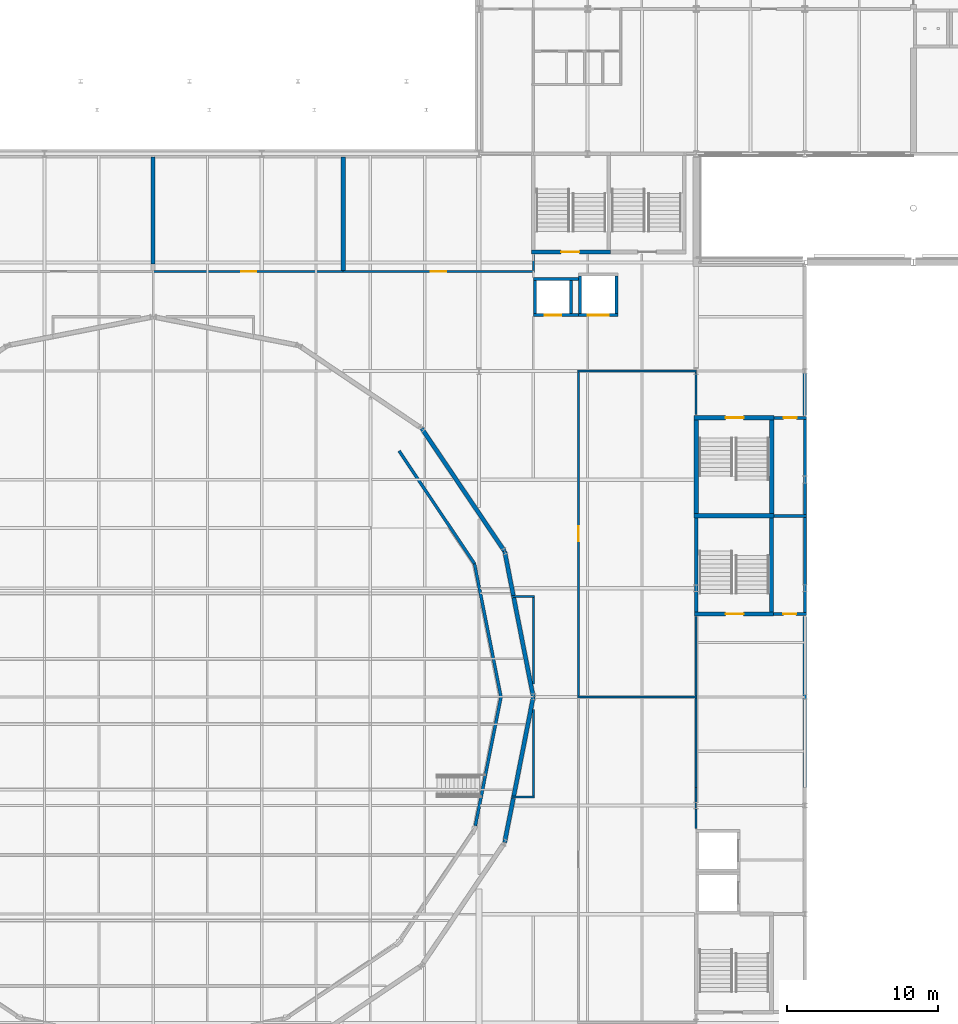
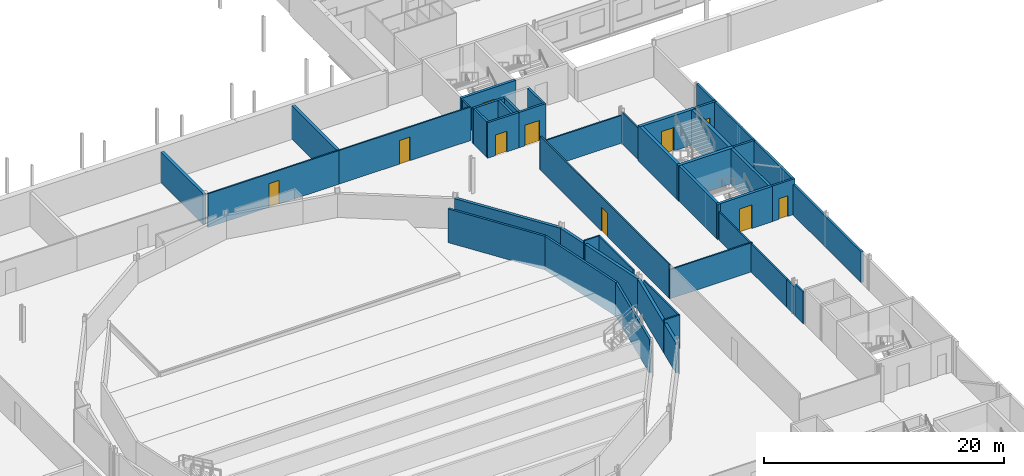
# One storey, part 52 of 90: 47 walls, 10 doors, 10 openings.
"""IFC4 building model written with IfcOpenShell, lengths in metres."""

from ifc_helpers import new_model, si_unit, direction, frame, frame_2d, origin, place, context, subcontext, project, spatial, rectangle, extrude, material, layer, layer_set, type_object, element, fill, save


model = new_model("IFC4")

# Units and contexts
model_context = context("Model", 3, precision=1e-05, world=origin(), true_north=direction((0.0, 1.0)))
body_context = subcontext(model_context, "Body", "Model", "MODEL_VIEW")
ifc_project = project(units=[si_unit("LENGTHUNIT", "METRE"), si_unit("AREAUNIT", "SQUARE_METRE"), si_unit("VOLUMEUNIT", "CUBIC_METRE"), si_unit("PLANEANGLEUNIT", "RADIAN"), si_unit("MASSUNIT", "GRAM", prefix="KILO")], contexts=[model_context])

# Site, building, storey
site_placement = place(None, origin())
site = spatial("IfcSite", under=ifc_project, at=site_placement, CompositionType="ELEMENT")
building_placement = place(site_placement, origin())
building = spatial("IfcBuilding", under=site, at=building_placement, Name="Kupolbacken Congress Centre", CompositionType="ELEMENT")
storey_placement = place(building_placement, frame((0.0, 0.0, 3.60009765625)))
storey = spatial("IfcBuildingStorey", under=building, at=storey_placement, Name="L01", CompositionType="ELEMENT", Elevation=3.60009765625)

# Walls
ifc_material_1 = material(Name="Gypsum board", Category="drywall")
ifc_layer_1 = layer(ifc_material_1, 0.135009765625)
ifc_layer_set_1 = layer_set([ifc_layer_1], Name="Gypsum board")
wall_type_1 = type_object("IfcWallType", Name="P06 compartment wall 135", PredefinedType="PARTITIONING", material=ifc_layer_set_1)
wall_1_placement = place(storey_placement, frame((68.39990234375, 114.66748046875, 0.0), z_axis=(0.0, 0.0, 1.0), x_axis=(0.0, 1.0, 0.0)))
element("IfcWall", 1, at=wall_1_placement, inside=storey, type_object=wall_type_1, Name="PD/L01/W007", PredefinedType="PARTITIONING", context=body_context, shape_type="SweptSolid", body=[
    extrude(rectangle(XDim=1.047607421875, YDim=0.135009765625, at=frame_2d((0.52392578125, 0.0))), origin(), (0.0, 0.0, 1.0), 3.419921875),
])
wall_2_placement = place(storey_placement, frame((79.199951171875, 77.659912109375, 0.0), z_axis=(0.0, 0.0, 1.0), x_axis=(0.0, 1.0, 0.0)))
element("IfcWall", 2, at=wall_2_placement, inside=storey, type_object=wall_type_1, Name="PD/L01/W011", PredefinedType="PARTITIONING", context=body_context, shape_type="SweptSolid", body=[
    extrude(rectangle(XDim=1.315185546875, YDim=0.135009765625, at=frame_2d((0.65771484375, 0.0))), origin(), (0.0, 0.0, 1.0), 3.219970703125),
])
wall_3_placement = place(storey_placement, frame((79.199951171875, 86.33251953125, 0.0), z_axis=(0.0, 0.0, 1.0), x_axis=(0.0, -1.0, 0.0)))
element("IfcWall", 3, at=wall_3_placement, inside=storey, type_object=wall_type_1, Name="PD/L01/W013", PredefinedType="PARTITIONING", context=body_context, shape_type="SweptSolid", body=[
    extrude(rectangle(XDim=5.9326171875, YDim=0.135009765625, at=frame_2d((2.96630859375, 0.0))), origin(), (0.0, 0.0, 1.0), 2.869873046875),
])
wall_4_placement = place(storey_placement, frame((79.199951171875, 91.715087890625, 0.0), z_axis=(0.0, 0.0, 1.0), x_axis=(0.0, -1.0, 0.0)))
element("IfcWall", 4, at=wall_4_placement, inside=storey, type_object=wall_type_1, Name="PD/L01/W014", PredefinedType="PARTITIONING", context=body_context, shape_type="SweptSolid", body=[
    extrude(rectangle(XDim=5.24755859375, YDim=0.135009765625, at=frame_2d((2.623779296875, 0.0))), origin(), (0.0, 0.0, 1.0), 2.869873046875),
])
wall_5_placement = place(storey_placement, frame((79.199951171875, 107.9326171875, 0.0), z_axis=(0.0, 0.0, 1.0), x_axis=(0.0, -1.0, 0.0)))
element("IfcWall", 5, at=wall_5_placement, inside=storey, type_object=wall_type_1, Name="PD/L01/W016", PredefinedType="PARTITIONING", context=body_context, shape_type="SweptSolid", body=[
    extrude(rectangle(XDim=2.822509765625, YDim=0.135009765625, at=frame_2d((1.4111328125, 0.0))), origin(), (0.0, 0.0, 1.0), 3.219970703125),
])

# Wall, opening, door
wall_6_placement = place(storey_placement, frame((55.800048828125, 114.60009765625, 0.0), z_axis=(0.0, 0.0, 1.0), x_axis=(-1.0, 0.0, 0.0)))
wall_6 = element("IfcWall", 6, at=wall_6_placement, inside=storey, type_object=wall_type_1, Name="PD/L01/W060", PredefinedType="PARTITIONING", context=body_context, shape_type="SweptSolid", body=[
    extrude(rectangle(XDim=12.60009765625, YDim=0.135009765625, at=frame_2d((6.300048828125, 0.0))), origin(), (0.0, 0.0, 1.0), 3.419921875),
])
opening_1_placement = place(wall_6_placement, frame((5.75, 0.0, 0.0)))
opening_1 = element("IfcOpeningElement", 7, at=opening_1_placement, cuts=wall_6, Name="Opening 1.P11", PredefinedType="OPENING", context=body_context, shape_type="SweptSolid", body=[
    extrude(rectangle(XDim=1.0, YDim=2.39990234375, at=frame_2d((0.5, 1.199951171875))), frame((0.0, 0.077392578125, 0.0), z_axis=(0.0, -1.0, 0.0), x_axis=(1.0, 0.0, 0.0)), (0.0, 0.0, 1.0), 0.155029296875),
])
ifc_material_2 = material(Name="Steel fire door leaf", Category="steel")
door_type_1 = type_object("IfcDoorType", Name="D8 fire door 1000x2400", OperationType="SINGLE_SWING_LEFT", PredefinedType="DOOR", material=ifc_material_2)
door_1_placement = place(opening_1_placement, frame((1.0, 0.0, 0.0), z_axis=(0.0, 0.0, 1.0), x_axis=(-1.0, 0.0, 0.0)))
door_1 = element("IfcDoor", 8, at=door_1_placement, inside=storey, type_object=door_type_1, Name="PD/L01/W060/D1P11", OperationType="SINGLE_SWING_LEFT", OverallHeight=2.39990234375, OverallWidth=1.0, PredefinedType="DOOR", context=body_context, shape_type="SweptSolid", body=[
    extrude(rectangle(XDim=1.0, YDim=2.39990234375, at=frame_2d((0.5, 1.199951171875))), frame((0.0, 0.02490234375, 0.0), z_axis=(0.0, -1.0, 0.0), x_axis=(1.0, 0.0, 0.0)), (0.0, 0.0, 1.0), 0.050048828125),
])
fill(opening_1, door_1)

wall_7_placement = place(storey_placement, frame((68.467529296875, 114.60009765625, 0.0), z_axis=(0.0, 0.0, 1.0), x_axis=(-1.0, 0.0, 0.0)))
wall_7 = element("IfcWall", 9, at=wall_7_placement, inside=storey, type_object=wall_type_1, Name="PD/L01/W061", PredefinedType="PARTITIONING", context=body_context, shape_type="SweptSolid", body=[
    extrude(rectangle(XDim=12.66748046875, YDim=0.135009765625, at=frame_2d((6.333740234375, 0.0))), origin(), (0.0, 0.0, 1.0), 3.419921875),
])
opening_2_placement = place(wall_7_placement, frame((5.85009765625, 0.0, 0.0)))
opening_2 = element("IfcOpeningElement", 10, at=opening_2_placement, cuts=wall_7, Name="Opening 1.P12", PredefinedType="OPENING", context=body_context, shape_type="SweptSolid", body=[
    extrude(rectangle(XDim=1.0, YDim=2.39990234375, at=frame_2d((0.5, 1.199951171875))), frame((0.0, 0.077392578125, 0.0), z_axis=(0.0, -1.0, 0.0), x_axis=(1.0, 0.0, 0.0)), (0.0, 0.0, 1.0), 0.155029296875),
])
door_2_placement = place(opening_2_placement, frame((1.0, 0.0, 0.0), z_axis=(0.0, 0.0, 1.0), x_axis=(-1.0, 0.0, 0.0)))
door_2 = element("IfcDoor", 11, at=door_2_placement, inside=storey, type_object=door_type_1, Name="PD/L01/W061/D1P12", OperationType="SINGLE_SWING_LEFT", OverallHeight=2.39990234375, OverallWidth=1.0, PredefinedType="DOOR", context=body_context, shape_type="SweptSolid", body=[
    extrude(rectangle(XDim=1.0, YDim=2.39990234375, at=frame_2d((0.5, 1.199951171875))), frame((0.0, 0.02490234375, 0.0), z_axis=(0.0, -1.0, 0.0), x_axis=(1.0, 0.0, 0.0)), (0.0, 0.0, 1.0), 0.050048828125),
])
fill(opening_2, door_2)

# Walls
wall_8_placement = place(storey_placement, frame((71.33251953125, 86.39990234375, 0.0), z_axis=(0.0, 0.0, 1.0), x_axis=(1.0, 0.0, 0.0)))
element("IfcWall", 12, at=wall_8_placement, inside=storey, type_object=wall_type_1, Name="PD/L01/W067", PredefinedType="PARTITIONING", context=body_context, shape_type="SweptSolid", body=[
    extrude(rectangle(XDim=7.93505859375, YDim=0.135009765625, at=frame_2d((3.967529296875, 0.0))), origin(), (0.0, 0.0, 1.0), 2.969970703125),
])
wall_9_placement = place(storey_placement, frame((71.33251953125, 108.0, 0.0), z_axis=(0.0, 0.0, 1.0), x_axis=(1.0, 0.0, 0.0)))
element("IfcWall", 13, at=wall_9_placement, inside=storey, type_object=wall_type_1, Name="PD/L01/W070", PredefinedType="PARTITIONING", context=body_context, shape_type="SweptSolid", body=[
    extrude(rectangle(XDim=7.93505859375, YDim=0.135009765625, at=frame_2d((3.967529296875, 0.0))), origin(), (0.0, 0.0, 1.0), 2.81982421875),
])

# Wall, opening, door
wall_10_placement = place(storey_placement, frame((71.39990234375, 86.467529296875, 0.0), z_axis=(0.0, 0.0, 1.0), x_axis=(0.0, 1.0, 0.0)))
wall_10 = element("IfcWall", 14, at=wall_10_placement, inside=storey, type_object=wall_type_1, Name="PD/L01/W071", PredefinedType="PARTITIONING", context=body_context, shape_type="SweptSolid", body=[
    extrude(rectangle(XDim=21.465087890625, YDim=0.135009765625, at=frame_2d((10.732421875, 0.0))), origin(), (0.0, 0.0, 1.0), 3.419921875),
])
opening_3_placement = place(wall_10_placement, frame((10.25, 0.0, 0.0)))
opening_3 = element("IfcOpeningElement", 15, at=opening_3_placement, cuts=wall_10, Name="Opening 1.P16", PredefinedType="OPENING", context=body_context, shape_type="SweptSolid", body=[
    extrude(rectangle(XDim=1.0, YDim=2.39990234375, at=frame_2d((0.5, 1.199951171875))), frame((0.0, 0.077392578125, 0.0), z_axis=(0.0, -1.0, 0.0), x_axis=(1.0, 0.0, 0.0)), (0.0, 0.0, 1.0), 0.155029296875),
])
door_3_placement = place(opening_3_placement, frame((1.0, 0.0, 0.0), z_axis=(0.0, 0.0, 1.0), x_axis=(-1.0, 0.0, 0.0)))
door_3 = element("IfcDoor", 16, at=door_3_placement, inside=storey, type_object=door_type_1, Name="PD/L01/W071/D1P16", OperationType="SINGLE_SWING_RIGHT", OverallHeight=2.39990234375, OverallWidth=1.0, PredefinedType="DOOR", context=body_context, shape_type="SweptSolid", body=[
    extrude(rectangle(XDim=1.0, YDim=2.39990234375, at=frame_2d((0.5, 1.199951171875))), frame((0.0, 0.02490234375, 0.0), z_axis=(0.0, -1.0, 0.0), x_axis=(1.0, 0.0, 0.0)), (0.0, 0.0, 1.0), 0.050048828125),
])
fill(opening_3, door_3)

# Walls
wall_11_placement = place(storey_placement, frame((68.39990234375, 79.8173828125, 0.0), z_axis=(0.0, 0.0, 1.0), x_axis=(0.0, 1.0, 0.0)))
element("IfcWall", 17, at=wall_11_placement, inside=storey, type_object=wall_type_1, Name="PD/L01/W086", PredefinedType="PARTITIONING", context=body_context, shape_type="SweptSolid", body=[
    extrude(rectangle(XDim=5.732666015625, YDim=0.135009765625, at=frame_2d((2.8662109375, 0.0))), origin(), (0.0, 0.0, 1.0), 3.419921875),
])
wall_12_placement = place(storey_placement, frame((68.39990234375, 87.25, 0.0), z_axis=(0.0, 0.0, 1.0), x_axis=(0.0, 1.0, 0.0)))
element("IfcWall", 18, at=wall_12_placement, inside=storey, type_object=wall_type_1, Name="PD/L01/W087", PredefinedType="PARTITIONING", context=body_context, shape_type="SweptSolid", body=[
    extrude(rectangle(XDim=5.732421875, YDim=0.135009765625, at=frame_2d((2.8662109375, 0.0))), origin(), (0.0, 0.0, 1.0), 3.419921875),
])
for number, where, z_axis, x_axis, name in (
    (19, (66.953125, 79.75, 0.0), (0.0, 0.0, 1.0), (1.0, 0.0, 0.0), "PD/L01/W099"),
    (20, (68.467529296875, 93.050048828125, 0.0), (0.0, 0.0, 1.0), (-1.0, 0.0, 0.0), "PD/L01/W114"),
):
    element("IfcWall", number, at=place(storey_placement, frame(where, z_axis=z_axis, x_axis=x_axis)), inside=storey, type_object=wall_type_1, Name=name, PredefinedType="PARTITIONING", context=body_context, shape_type="SweptSolid", body=[
        extrude(rectangle(XDim=1.514404296875, YDim=0.135009765625, at=frame_2d((0.75732421875, 0.0))), origin(), (0.0, 0.0, 1.0), 3.419921875),
    ])
wall_13_placement = place(storey_placement, frame((79.199951171875, 78.97509765625, 0.0), z_axis=(0.0, 0.0, 1.0), x_axis=(0.0, 1.0, 0.0)))
element("IfcWall", 21, at=wall_13_placement, inside=storey, type_object=wall_type_1, Name="PD/L01/W011.h1", PredefinedType="PARTITIONING", context=body_context, shape_type="SweptSolid", body=[
    extrude(rectangle(XDim=1.4248046875, YDim=0.135009765625, at=frame_2d((0.71240234375, 0.0))), origin(), (0.0, 0.0, 1.0), 2.869873046875),
])
ifc_material_3 = material(Name="Gypsum board", Category="drywall")
ifc_layer_2 = layer(ifc_material_3, 0.27490234375)
ifc_layer_set_2 = layer_set([ifc_layer_2], Name="Gypsum board")
wall_type_2 = type_object("IfcWallType", Name="P12 partition 275", PredefinedType="PARTITIONING", material=ifc_layer_set_2)
wall_14_placement = place(storey_placement, frame((43.199951171875, 122.179931640625, 0.0), z_axis=(0.0, 0.0, 1.0), x_axis=(0.0, -1.0, 0.0)))
element("IfcWall", 22, at=wall_14_placement, inside=storey, type_object=wall_type_2, Name="PD/L01/W057", PredefinedType="PARTITIONING", context=body_context, shape_type="SweptSolid", body=[
    extrude(rectangle(XDim=7.08984375, YDim=0.27490234375, at=frame_2d((3.544921875, 0.0))), origin(), (0.0, 0.0, 1.0), 3.119873046875),
])
wall_15_placement = place(storey_placement, frame((55.800048828125, 122.179931640625, 0.0), z_axis=(0.0, 0.0, 1.0), x_axis=(0.0, -1.0, 0.0)))
element("IfcWall", 23, at=wall_15_placement, inside=storey, type_object=wall_type_2, Name="PD/L01/W059", PredefinedType="PARTITIONING", context=body_context, shape_type="SweptSolid", body=[
    extrude(rectangle(XDim=7.512451171875, YDim=0.27490234375, at=frame_2d((3.75634765625, 0.0))), origin(), (0.0, 0.0, 1.0), 3.419921875),
])
wall_16_placement = place(storey_placement, frame((66.5, 76.75, 0.0), z_axis=(0.0, 0.0, 1.0), x_axis=(0.193179069745, 0.98116351696, 0.0)))
element("IfcWall", 24, at=wall_16_placement, inside=storey, type_object=wall_type_2, Name="PD/L01/W100", PredefinedType="PARTITIONING", context=body_context, shape_type="SweptSolid", body=[
    extrude(rectangle(XDim=2.990234375, YDim=0.27490234375, at=frame_2d((1.4951171875, 0.0))), origin(), (0.0, 0.0, 1.0), 3.06982421875),
])
wall_17_placement = place(storey_placement, frame((67.103759765625, 79.816162109375, 0.0), z_axis=(0.0, 0.0, 1.0), x_axis=(0.193162546167, 0.981166770105, 0.0)))
element("IfcWall", 25, at=wall_17_placement, inside=storey, type_object=wall_type_2, Name="PD/L01/W105", PredefinedType="PARTITIONING", context=body_context, shape_type="SweptSolid", body=[
    extrude(rectangle(XDim=6.710205078125, YDim=0.27490234375, at=frame_2d((3.35498046875, 0.0))), origin(), (0.0, 0.0, 1.0), 3.06982421875),
])
wall_18_placement = place(storey_placement, frame((67.07763671875, 93.1162109375, 0.0), z_axis=(0.0, 0.0, 1.0), x_axis=(-0.193179069745, 0.98116351696, 0.0)))
element("IfcWall", 26, at=wall_18_placement, inside=storey, type_object=wall_type_2, Name="PD/L01/W118", PredefinedType="PARTITIONING", context=body_context, shape_type="SweptSolid", body=[
    extrude(rectangle(XDim=2.990234375, YDim=0.27490234375, at=frame_2d((1.4951171875, 0.0))), origin(), (0.0, 0.0, 1.0), 3.06982421875),
])
wall_19_placement = place(storey_placement, frame((66.5, 96.050048828125, 0.0), z_axis=(0.0, 0.0, 1.0), x_axis=(-0.559390118145, 0.828904515443, 0.0)))
element("IfcWall", 27, at=wall_19_placement, inside=storey, type_object=wall_type_2, Name="PD/L01/W119", PredefinedType="PARTITIONING", context=body_context, shape_type="SweptSolid", body=[
    extrude(rectangle(XDim=9.83203125, YDim=0.27490234375, at=frame_2d((4.916015625, 0.0))), origin(), (0.0, 0.0, 1.0), 3.06982421875),
])
wall_20_placement = place(storey_placement, frame((68.39990234375, 86.39990234375, 0.0), z_axis=(0.0, 0.0, 1.0), x_axis=(-0.193155650747, 0.981168127583, 0.0)))
element("IfcWall", 28, at=wall_20_placement, inside=storey, type_object=wall_type_2, Name="PD/L01/W120", PredefinedType="PARTITIONING", context=body_context, shape_type="SweptSolid", body=[
    extrude(rectangle(XDim=6.71044921875, YDim=0.27490234375, at=frame_2d((3.355224609375, 0.0))), origin(), (0.0, 0.0, 1.0), 3.06982421875),
])
ifc_material_4 = material(Name="Dense concrete block", Category="masonry")
ifc_layer_3 = layer(ifc_material_4, 0.215087890625)
ifc_layer_set_3 = layer_set([ifc_layer_3], Name="Dense concrete block")
wall_type_3 = type_object("IfcWallType", Name="P15 partition 215", PredefinedType="PARTITIONING", material=ifc_layer_set_3)
wall_21_placement = place(storey_placement, frame((86.39990234375, 80.39990234375, 0.0), z_axis=(0.0, 0.0, 1.0), x_axis=(0.0, 1.0, 0.0)))
element("IfcWall", 29, at=wall_21_placement, inside=storey, type_object=wall_type_3, Name="PD/L01/W015", PredefinedType="PARTITIONING", context=body_context, shape_type="SweptSolid", body=[
    extrude(rectangle(XDim=11.340087890625, YDim=0.215087890625, at=frame_2d((5.669921875, 0.0))), origin(), (0.0, 0.0, 1.0), 3.119873046875),
])
wall_22_placement = place(storey_placement, frame((86.39990234375, 105.06005859375, 0.0), z_axis=(0.0, 0.0, 1.0), x_axis=(0.0, 1.0, 0.0)))
element("IfcWall", 30, at=wall_22_placement, inside=storey, type_object=wall_type_3, Name="PD/L01/W017", PredefinedType="PARTITIONING", context=body_context, shape_type="SweptSolid", body=[
    extrude(rectangle(XDim=2.794921875, YDim=0.215087890625, at=frame_2d((1.3974609375, 0.0))), origin(), (0.0, 0.0, 1.0), 3.599853515625),
])
ifc_material_5 = material(Name="Concrete C40/50", Category="concrete")
ifc_layer_4 = layer(ifc_material_5, 0.199951171875)
ifc_layer_set_4 = layer_set([ifc_layer_4], Name="Concrete C40/50")
wall_type_4 = type_object("IfcWallType", Name="TW1 RC tier wall 200", PredefinedType="SOLIDWALL", material=ifc_layer_set_4)
wall_23_placement = place(storey_placement, frame((64.559326171875, 77.855712890625, 0.0), z_axis=(0.0, 0.0, 1.0), x_axis=(0.195081260767, 0.980787082754, 0.0)))
element("IfcWall", 31, at=wall_23_placement, inside=storey, type_object=wall_type_4, Name="PD/L01/ringwall/3375", PredefinedType="SOLIDWALL", context=body_context, shape_type="SweptSolid", body=[
    extrude(rectangle(XDim=8.711669921875, YDim=0.199951171875, at=frame_2d((4.35595703125, 0.0))), origin(), (0.0, 0.0, 1.0), 3.431884765625),
])
wall_24_placement = place(storey_placement, frame((66.2587890625, 86.39990234375, 0.0), z_axis=(0.0, 0.0, 1.0), x_axis=(-0.195077568011, 0.980787817246, 0.0)))
element("IfcWall", 32, at=wall_24_placement, inside=storey, type_object=wall_type_4, Name="PD/L01/ringwall/3600", PredefinedType="SOLIDWALL", context=body_context, shape_type="SweptSolid", body=[
    extrude(rectangle(XDim=8.9970703125, YDim=0.199951171875, at=frame_2d((4.49853515625, 0.0))), origin(), (0.0, 0.0, 1.0), 3.431884765625),
])
wall_25_placement = place(storey_placement, frame((64.503662109375, 95.22412109375, 0.0), z_axis=(0.0, 0.0, 1.0), x_axis=(-0.555564045645, 0.83147374654, 0.0)))
element("IfcWall", 33, at=wall_25_placement, inside=storey, type_object=wall_type_4, Name="PD/L01/ringwall/3825", PredefinedType="SOLIDWALL", context=body_context, shape_type="SweptSolid", body=[
    extrude(rectangle(XDim=8.997314453125, YDim=0.199951171875, at=frame_2d((4.49853515625, 0.0))), origin(), (0.0, 0.0, 1.0), 3.431884765625),
])

# Wall, opening, door
ifc_material_6 = material(Name="Concrete C40/50", Category="concrete")
ifc_layer_5 = layer(ifc_material_6, 0.199951171875)
ifc_layer_set_5 = layer_set([ifc_layer_5], Name="Concrete C40/50")
wall_type_5 = type_object("IfcWallType", Name="WC1 RC shaft wall 200", PredefinedType="SHEAR", material=ifc_layer_set_5)
wall_26_placement = place(storey_placement, frame((84.324951171875, 91.89990234375, 0.0), z_axis=(0.0, 0.0, 1.0), x_axis=(1.0, 0.0, 0.0)))
wall_26 = element("IfcWall", 34, at=wall_26_placement, inside=storey, type_object=wall_type_5, Name="Shaft wall L01-053", PredefinedType="SHEAR", context=body_context, shape_type="SweptSolid", body=[
    extrude(rectangle(XDim=2.175048828125, YDim=0.199951171875, at=frame_2d((1.08740234375, 0.0))), origin(), (0.0, 0.0, 1.0), 3.599853515625),
])
opening_4_placement = place(wall_26_placement, frame((0.64990234375, 0.0, 0.0)))
opening_4 = element("IfcOpeningElement", 35, at=opening_4_placement, cuts=wall_26, Name="Opening 1.L08", PredefinedType="OPENING", context=body_context, shape_type="SweptSolid", body=[
    extrude(rectangle(XDim=0.85009765625, YDim=2.10009765625, at=frame_2d((0.425048828125, 1.050048828125))), frame((0.0, 0.10986328125, 0.0), z_axis=(0.0, -1.0, 0.0), x_axis=(1.0, 0.0, 0.0)), (0.0, 0.0, 1.0), 0.219970703125),
])
ifc_material_7 = material(Name="Steel fire door leaf", Category="steel")
door_type_2 = type_object("IfcDoorType", Name="D3 fire door 850x2100", OperationType="SINGLE_SWING_LEFT", PredefinedType="DOOR", material=ifc_material_7)
door_4_placement = place(opening_4_placement, origin())
door_4 = element("IfcDoor", 36, at=door_4_placement, inside=storey, type_object=door_type_2, Name="S/core/L01/053/D1L08", OperationType="SINGLE_SWING_LEFT", OverallHeight=2.10009765625, OverallWidth=0.85009765625, PredefinedType="DOOR", context=body_context, shape_type="SweptSolid", body=[
    extrude(rectangle(XDim=0.85009765625, YDim=2.10009765625, at=frame_2d((0.425048828125, 1.050048828125))), frame((0.0, 0.02490234375, 0.0), z_axis=(0.0, -1.0, 0.0), x_axis=(1.0, 0.0, 0.0)), (0.0, 0.0, 1.0), 0.050048828125),
])
fill(opening_4, door_4)

# Walls
wall_27_placement = place(storey_placement, frame((86.39990234375, 91.800048828125, 0.0), z_axis=(0.0, 0.0, 1.0), x_axis=(0.0, 1.0, 0.0)))
element("IfcWall", 37, at=wall_27_placement, inside=storey, type_object=wall_type_5, Name="Shaft wall L01-055", PredefinedType="SHEAR", context=body_context, shape_type="SweptSolid", body=[
    extrude(rectangle(XDim=6.699951171875, YDim=0.199951171875, at=frame_2d((3.35009765625, 0.0))), origin(), (0.0, 0.0, 1.0), 3.599853515625),
])
wall_28_placement = place(storey_placement, frame((84.35009765625, 98.39990234375, 0.0), z_axis=(0.0, 0.0, 1.0), x_axis=(1.0, 0.0, 0.0)))
element("IfcWall", 38, at=wall_28_placement, inside=storey, type_object=wall_type_5, Name="Shaft wall L01-058", PredefinedType="SHEAR", context=body_context, shape_type="SweptSolid", body=[
    extrude(rectangle(XDim=2.14990234375, YDim=0.199951171875, at=frame_2d((1.074951171875, 0.0))), origin(), (0.0, 0.0, 1.0), 3.599853515625),
])
wall_29_placement = place(storey_placement, frame((86.39990234375, 98.5, 0.0), z_axis=(0.0, 0.0, 1.0), x_axis=(0.0, 1.0, 0.0)))
element("IfcWall", 39, at=wall_29_placement, inside=storey, type_object=wall_type_5, Name="Shaft wall L01-060", PredefinedType="SHEAR", context=body_context, shape_type="SweptSolid", body=[
    extrude(rectangle(XDim=6.5, YDim=0.199951171875, at=frame_2d((3.25, 0.0))), origin(), (0.0, 0.0, 1.0), 3.599853515625),
])

# Wall, opening, door
wall_30_placement = place(storey_placement, frame((86.5, 104.89990234375, 0.0), z_axis=(0.0, 0.0, 1.0), x_axis=(-1.0, 0.0, 0.0)))
wall_30 = element("IfcWall", 40, at=wall_30_placement, inside=storey, type_object=wall_type_5, Name="Shaft wall L01-063", PredefinedType="SHEAR", context=body_context, shape_type="SweptSolid", body=[
    extrude(rectangle(XDim=2.14990234375, YDim=0.199951171875, at=frame_2d((1.074951171875, 0.0))), origin(), (0.0, 0.0, 1.0), 3.599853515625),
])
opening_5_placement = place(wall_30_placement, frame((0.64990234375, 0.0, 0.0)))
opening_5 = element("IfcOpeningElement", 41, at=opening_5_placement, cuts=wall_30, Name="Opening 1.L06", PredefinedType="OPENING", context=body_context, shape_type="SweptSolid", body=[
    extrude(rectangle(XDim=0.85009765625, YDim=2.10009765625, at=frame_2d((0.425048828125, 1.050048828125))), frame((0.0, 0.10986328125, 0.0), z_axis=(0.0, -1.0, 0.0), x_axis=(1.0, 0.0, 0.0)), (0.0, 0.0, 1.0), 0.219970703125),
])
door_5_placement = place(opening_5_placement, origin())
door_5 = element("IfcDoor", 42, at=door_5_placement, inside=storey, type_object=door_type_2, Name="S/core/L01/063/D1L06", OperationType="SINGLE_SWING_RIGHT", OverallHeight=2.10009765625, OverallWidth=0.85009765625, PredefinedType="DOOR", context=body_context, shape_type="SweptSolid", body=[
    extrude(rectangle(XDim=0.85009765625, YDim=2.10009765625, at=frame_2d((0.425048828125, 1.050048828125))), frame((0.0, 0.02490234375, 0.0), z_axis=(0.0, -1.0, 0.0), x_axis=(1.0, 0.0, 0.0)), (0.0, 0.0, 1.0), 0.050048828125),
])
fill(opening_5, door_5)

wall_31_placement = place(storey_placement, frame((68.39990234375, 111.699951171875, 0.0), z_axis=(0.0, 0.0, 1.0), x_axis=(1.0, 0.0, 0.0)))
wall_31 = element("IfcWall", 43, at=wall_31_placement, inside=storey, type_object=wall_type_5, Name="Shaft wall LP8", PredefinedType="SHEAR", context=body_context, shape_type="SweptSolid", body=[
    extrude(rectangle(XDim=3.0, YDim=0.199951171875, at=frame_2d((1.5, 0.0))), origin(), (0.0, 0.0, 1.0), 3.599853515625),
])
opening_6_placement = place(wall_31_placement, frame((0.75, 0.0, 0.0)))
opening_6 = element("IfcOpeningElement", 44, at=opening_6_placement, cuts=wall_31, Name="Opening LD2", PredefinedType="OPENING", context=body_context, shape_type="SweptSolid", body=[
    extrude(rectangle(XDim=1.10009765625, YDim=2.10009765625, at=frame_2d((0.550048828125, 1.050048828125))), frame((0.0, 0.10986328125, 0.0), z_axis=(0.0, -1.0, 0.0), x_axis=(1.0, 0.0, 0.0)), (0.0, 0.0, 1.0), 0.219970703125),
])
ifc_material_8 = material(Name="Stainless steel door leaf", Category="steel")
door_type_3 = type_object("IfcDoorType", Name="LD2 lift landing door 1100x2100", OperationType="SLIDING_TO_LEFT", PredefinedType="DOOR", material=ifc_material_8)
door_6_placement = place(opening_6_placement, origin())
door_6 = element("IfcDoor", 45, at=door_6_placement, inside=storey, type_object=door_type_3, Name="Lift landing door LP8", OperationType="SLIDING_TO_LEFT", OverallHeight=2.10009765625, OverallWidth=1.10009765625, PredefinedType="DOOR", context=body_context, shape_type="SweptSolid", body=[
    extrude(rectangle(XDim=1.10009765625, YDim=2.10009765625, at=frame_2d((0.550048828125, 1.050048828125))), frame((0.0, 0.02490234375, 0.0), z_axis=(0.0, -1.0, 0.0), x_axis=(1.0, 0.0, 0.0)), (0.0, 0.0, 1.0), 0.050048828125),
])
fill(opening_6, door_6)

# Walls
wall_32_placement = place(storey_placement, frame((68.39990234375, 114.10009765625, 0.0), z_axis=(0.0, 0.0, 1.0), x_axis=(1.0, 0.0, 0.0)))
element("IfcWall", 46, at=wall_32_placement, inside=storey, type_object=wall_type_5, Name="Shaft wall LP8", PredefinedType="SHEAR", context=body_context, shape_type="SweptSolid", body=[
    extrude(rectangle(XDim=3.0, YDim=0.199951171875, at=frame_2d((1.5, 0.0))), origin(), (0.0, 0.0, 1.0), 3.599853515625),
])
for number, where, z_axis, x_axis, name in (
    (47, (68.5, 111.800048828125, 0.0), (0.0, 0.0, 1.0), (0.0, 1.0, 0.0), "Shaft wall LP8"),
    (48, (70.89990234375, 111.800048828125, 0.0), (0.0, 0.0, 1.0), (0.0, 1.0, 0.0), "Shaft wall LP8"),
):
    element("IfcWall", number, at=place(storey_placement, frame(where, z_axis=z_axis, x_axis=x_axis)), inside=storey, type_object=wall_type_5, Name=name, PredefinedType="SHEAR", context=body_context, shape_type="SweptSolid", body=[
        extrude(rectangle(XDim=2.199951171875, YDim=0.199951171875, at=frame_2d((1.10009765625, 0.0))), origin(), (0.0, 0.0, 1.0), 3.599853515625),
    ])

# Wall, opening, door
wall_33_placement = place(storey_placement, frame((71.39990234375, 111.699951171875, 0.0), z_axis=(0.0, 0.0, 1.0), x_axis=(1.0, 0.0, 0.0)))
wall_33 = element("IfcWall", 49, at=wall_33_placement, inside=storey, type_object=wall_type_5, Name="Shaft wall LG2", PredefinedType="SHEAR", context=body_context, shape_type="SweptSolid", body=[
    extrude(rectangle(XDim=2.60009765625, YDim=0.199951171875, at=frame_2d((1.300048828125, 0.0))), origin(), (0.0, 0.0, 1.0), 3.599853515625),
])
opening_7_placement = place(wall_33_placement, frame((0.60009765625, 0.0, 0.0)))
opening_7 = element("IfcOpeningElement", 50, at=opening_7_placement, cuts=wall_33, Name="Opening LD3", PredefinedType="OPENING", context=body_context, shape_type="SweptSolid", body=[
    extrude(rectangle(XDim=1.39990234375, YDim=2.10009765625, at=frame_2d((0.699951171875, 1.050048828125))), frame((0.0, 0.10986328125, 0.0), z_axis=(0.0, -1.0, 0.0), x_axis=(1.0, 0.0, 0.0)), (0.0, 0.0, 1.0), 0.219970703125),
])
ifc_material_9 = material(Name="Stainless steel door leaf", Category="steel")
door_type_4 = type_object("IfcDoorType", Name="LD3 lift landing door 1400x2100", OperationType="SLIDING_TO_LEFT", PredefinedType="DOOR", material=ifc_material_9)
door_7_placement = place(opening_7_placement, origin())
door_7 = element("IfcDoor", 51, at=door_7_placement, inside=storey, type_object=door_type_4, Name="Lift landing door LG2", OperationType="SLIDING_TO_LEFT", OverallHeight=2.10009765625, OverallWidth=1.39990234375, PredefinedType="DOOR", context=body_context, shape_type="SweptSolid", body=[
    extrude(rectangle(XDim=1.39990234375, YDim=2.10009765625, at=frame_2d((0.699951171875, 1.050048828125))), frame((0.0, 0.02490234375, 0.0), z_axis=(0.0, -1.0, 0.0), x_axis=(1.0, 0.0, 0.0)), (0.0, 0.0, 1.0), 0.050048828125),
])
fill(opening_7, door_7)

# Walls
for number, where, z_axis, x_axis, name in (
    (52, (71.5, 111.800048828125, 0.0), (0.0, 0.0, 1.0), (0.0, 1.0, 0.0), "Shaft wall LG2"),
    (53, (73.89990234375, 111.800048828125, 0.0), (0.0, 0.0, 1.0), (0.0, 1.0, 0.0), "Shaft wall LG2"),
):
    element("IfcWall", number, at=place(storey_placement, frame(where, z_axis=z_axis, x_axis=x_axis)), inside=storey, type_object=wall_type_5, Name=name, PredefinedType="SHEAR", context=body_context, shape_type="SweptSolid", body=[
        extrude(rectangle(XDim=2.5, YDim=0.199951171875, at=frame_2d((1.25, 0.0))), origin(), (0.0, 0.0, 1.0), 3.599853515625),
    ])

# Wall, opening, door
ifc_material_10 = material(Name="Concrete C40/50", Category="concrete")
ifc_layer_6 = layer(ifc_material_10, 0.25)
ifc_layer_set_6 = layer_set([ifc_layer_6], Name="Concrete C40/50")
wall_type_6 = type_object("IfcWallType", Name="WC2 RC stair enclosure wall 250", PredefinedType="SHEAR", material=ifc_layer_set_6)
wall_34_placement = place(storey_placement, frame((79.074951171875, 91.89990234375, 0.0), z_axis=(0.0, 0.0, 1.0), x_axis=(1.0, 0.0, 0.0)))
wall_34 = element("IfcWall", 54, at=wall_34_placement, inside=storey, type_object=wall_type_6, Name="Stair enclosure wall L01-052", PredefinedType="SHEAR", context=body_context, shape_type="SweptSolid", body=[
    extrude(rectangle(XDim=5.25, YDim=0.25, at=frame_2d((2.625, 0.0))), origin(), (0.0, 0.0, 1.0), 3.599853515625),
])
opening_8_placement = place(wall_34_placement, frame((2.074951171875, 0.0, 0.0)))
opening_8 = element("IfcOpeningElement", 55, at=opening_8_placement, cuts=wall_34, Name="Opening 1.L03", PredefinedType="OPENING", context=body_context, shape_type="SweptSolid", body=[
    extrude(rectangle(XDim=1.199951171875, YDim=2.39990234375, at=frame_2d((0.60009765625, 1.199951171875))), frame((0.0, 0.135009765625, 0.0), z_axis=(0.0, -1.0, 0.0), x_axis=(1.0, 0.0, 0.0)), (0.0, 0.0, 1.0), 0.27001953125),
])
ifc_material_11 = material(Name="Steel fire door leaf", Category="steel")
door_type_5 = type_object("IfcDoorType", Name="D9 fire door 1200x2400", OperationType="SINGLE_SWING_LEFT", PredefinedType="DOOR", material=ifc_material_11)
door_8_placement = place(opening_8_placement, origin())
door_8 = element("IfcDoor", 56, at=door_8_placement, inside=storey, type_object=door_type_5, Name="S/core/L01/052/D1L03", OperationType="SINGLE_SWING_LEFT", OverallHeight=2.39990234375, OverallWidth=1.199951171875, PredefinedType="DOOR", context=body_context, shape_type="SweptSolid", body=[
    extrude(rectangle(XDim=1.199951171875, YDim=2.39990234375, at=frame_2d((0.60009765625, 1.199951171875))), frame((0.0, 0.02490234375, 0.0), z_axis=(0.0, -1.0, 0.0), x_axis=(1.0, 0.0, 0.0)), (0.0, 0.0, 1.0), 0.050048828125),
])
fill(opening_8, door_8)

# Walls
for number, where, z_axis, x_axis, name in (
    (57, (84.199951171875, 91.77490234375, 0.0), (0.0, 0.0, 1.0), (0.0, 1.0, 0.0), "Stair enclosure wall L01-054"),
    (58, (79.199951171875, 98.550048828125, 0.0), (0.0, 0.0, 1.0), (0.0, -1.0, 0.0), "Stair enclosure wall L01-056"),
):
    element("IfcWall", number, at=place(storey_placement, frame(where, z_axis=z_axis, x_axis=x_axis)), inside=storey, type_object=wall_type_6, Name=name, PredefinedType="SHEAR", context=body_context, shape_type="SweptSolid", body=[
        extrude(rectangle(XDim=6.775146484375, YDim=0.25, at=frame_2d((3.3876953125, 0.0))), origin(), (0.0, 0.0, 1.0), 3.599853515625),
    ])

# Wall, opening, door
wall_35_placement = place(storey_placement, frame((68.27490234375, 115.89990234375, 0.0), z_axis=(0.0, 0.0, 1.0), x_axis=(1.0, 0.0, 0.0)))
wall_35 = element("IfcWall", 59, at=wall_35_placement, inside=storey, type_object=wall_type_6, Name="Stair enclosure wall L01-068", PredefinedType="SHEAR", context=body_context, shape_type="SweptSolid", body=[
    extrude(rectangle(XDim=5.25, YDim=0.25, at=frame_2d((2.625, 0.0))), origin(), (0.0, 0.0, 1.0), 3.599853515625),
])
opening_9_placement = place(wall_35_placement, frame((1.97509765625, 0.0, 0.0)))
opening_9 = element("IfcOpeningElement", 60, at=opening_9_placement, cuts=wall_35, Name="Opening 1.P07", PredefinedType="OPENING", context=body_context, shape_type="SweptSolid", body=[
    extrude(rectangle(XDim=1.199951171875, YDim=2.39990234375, at=frame_2d((0.60009765625, 1.199951171875))), frame((0.0, 0.135009765625, 0.0), z_axis=(0.0, -1.0, 0.0), x_axis=(1.0, 0.0, 0.0)), (0.0, 0.0, 1.0), 0.27001953125),
])
door_9_placement = place(opening_9_placement, origin())
door_9 = element("IfcDoor", 61, at=door_9_placement, inside=storey, type_object=door_type_5, Name="S/core/L01/068/D1P07", OperationType="SINGLE_SWING_RIGHT", OverallHeight=2.39990234375, OverallWidth=1.199951171875, PredefinedType="DOOR", context=body_context, shape_type="SweptSolid", body=[
    extrude(rectangle(XDim=1.199951171875, YDim=2.39990234375, at=frame_2d((0.60009765625, 1.199951171875))), frame((0.0, 0.02490234375, 0.0), z_axis=(0.0, -1.0, 0.0), x_axis=(1.0, 0.0, 0.0)), (0.0, 0.0, 1.0), 0.050048828125),
])
fill(opening_9, door_9)

# Walls
ifc_material_12 = material(Name="Concrete C40/50", Category="concrete")
ifc_layer_7 = layer(ifc_material_12, 0.300048828125)
ifc_layer_set_7 = layer_set([ifc_layer_7], Name="Concrete C40/50")
wall_type_7 = type_object("IfcWallType", Name="WC3 RC core wall 300", PredefinedType="SHEAR", material=ifc_layer_set_7)
wall_36_placement = place(storey_placement, frame((84.35009765625, 98.39990234375, 0.0), z_axis=(0.0, 0.0, 1.0), x_axis=(-1.0, 0.0, 0.0)))
element("IfcWall", 62, at=wall_36_placement, inside=storey, type_object=wall_type_7, Name="Core wall L01-057", PredefinedType="SHEAR", context=body_context, shape_type="SweptSolid", body=[
    extrude(rectangle(XDim=5.300048828125, YDim=0.300048828125, at=frame_2d((2.64990234375, 0.0))), origin(), (0.0, 0.0, 1.0), 3.599853515625),
])
for number, where, z_axis, x_axis, name in (
    (63, (84.199951171875, 98.550048828125, 0.0), (0.0, 0.0, 1.0), (0.0, 1.0, 0.0), "Core wall L01-059"),
    (64, (79.199951171875, 105.050048828125, 0.0), (0.0, 0.0, 1.0), (0.0, -1.0, 0.0), "Core wall L01-061"),
):
    element("IfcWall", number, at=place(storey_placement, frame(where, z_axis=z_axis, x_axis=x_axis)), inside=storey, type_object=wall_type_7, Name=name, PredefinedType="SHEAR", context=body_context, shape_type="SweptSolid", body=[
        extrude(rectangle(XDim=6.5, YDim=0.300048828125, at=frame_2d((3.25, 0.0))), origin(), (0.0, 0.0, 1.0), 3.599853515625),
    ])

# Wall, opening, door
wall_37_placement = place(storey_placement, frame((84.35009765625, 104.89990234375, 0.0), z_axis=(0.0, 0.0, 1.0), x_axis=(-1.0, 0.0, 0.0)))
wall_37 = element("IfcWall", 65, at=wall_37_placement, inside=storey, type_object=wall_type_7, Name="Core wall L01-062", PredefinedType="SHEAR", context=body_context, shape_type="SweptSolid", body=[
    extrude(rectangle(XDim=5.300048828125, YDim=0.300048828125, at=frame_2d((2.64990234375, 0.0))), origin(), (0.0, 0.0, 1.0), 3.599853515625),
])
opening_10_placement = place(wall_37_placement, frame((2.0, 0.0, 0.0)))
opening_10 = element("IfcOpeningElement", 66, at=opening_10_placement, cuts=wall_37, Name="Opening 1.L04", PredefinedType="OPENING", context=body_context, shape_type="SweptSolid", body=[
    extrude(rectangle(XDim=1.199951171875, YDim=2.39990234375, at=frame_2d((0.60009765625, 1.199951171875))), frame((0.0, 0.159912109375, 0.0), z_axis=(0.0, -1.0, 0.0), x_axis=(1.0, 0.0, 0.0)), (0.0, 0.0, 1.0), 0.320068359375),
])
door_10_placement = place(opening_10_placement, origin())
door_10 = element("IfcDoor", 67, at=door_10_placement, inside=storey, type_object=door_type_5, Name="S/core/L01/062/D1L04", OperationType="SINGLE_SWING_RIGHT", OverallHeight=2.39990234375, OverallWidth=1.199951171875, PredefinedType="DOOR", context=body_context, shape_type="SweptSolid", body=[
    extrude(rectangle(XDim=1.199951171875, YDim=2.39990234375, at=frame_2d((0.60009765625, 1.199951171875))), frame((0.0, 0.02490234375, 0.0), z_axis=(0.0, -1.0, 0.0), x_axis=(1.0, 0.0, 0.0)), (0.0, 0.0, 1.0), 0.050048828125),
])
fill(opening_10, door_10)

save(model, "model.ifc")
